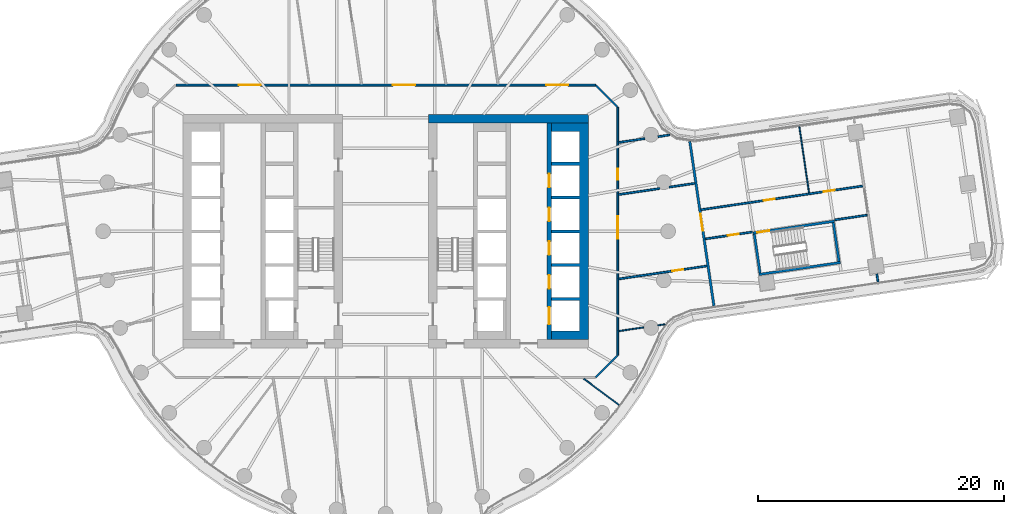
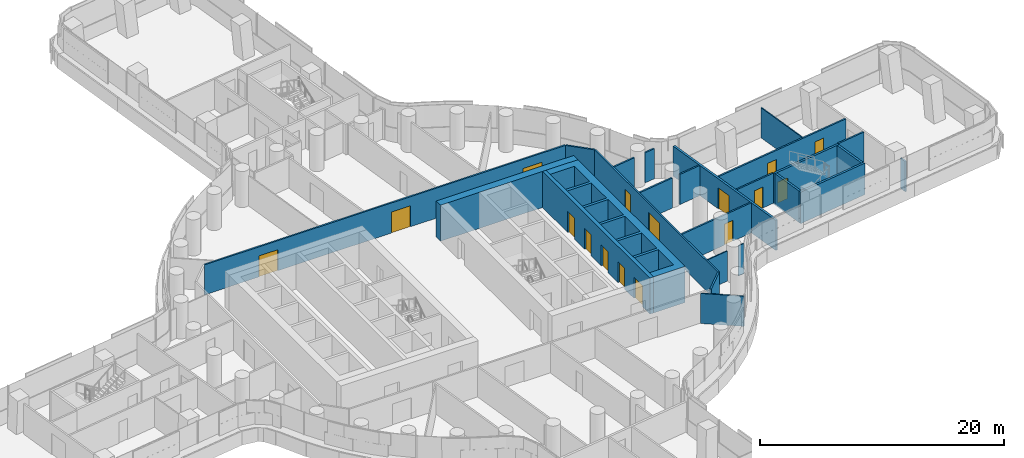
# One storey, part 22 of 31: 25 walls, 16 doors, 16 openings.
"""IFC4 building model written with IfcOpenShell, lengths in metres."""

from ifc_helpers import new_model, si_unit, direction, frame, frame_2d, origin, place, context, subcontext, project, spatial, polyline, rectangle, outline, extrude, material, layer, layer_set, type_object, element, fill, save


model = new_model("IFC4")

# Units and contexts
model_context = context("Model", 3, precision=1e-05, world=origin(), true_north=direction((0.0, 1.0)))
body_context = subcontext(model_context, "Body", "Model", "MODEL_VIEW")
ifc_project = project(units=[si_unit("LENGTHUNIT", "METRE"), si_unit("AREAUNIT", "SQUARE_METRE"), si_unit("VOLUMEUNIT", "CUBIC_METRE"), si_unit("PLANEANGLEUNIT", "RADIAN"), si_unit("MASSUNIT", "GRAM", prefix="KILO")], contexts=[model_context])

# Site, building, storey
site_placement = place(None, origin())
site = spatial("IfcSite", under=ifc_project, at=site_placement, CompositionType="ELEMENT")
building_placement = place(site_placement, origin())
building = spatial("IfcBuilding", under=site, at=building_placement, Name="Tamarind Cross Interchange Tower", CompositionType="ELEMENT")
storey_placement = place(building_placement, frame((0.0, 0.0, 64.0)))
storey = spatial("IfcBuildingStorey", under=building, at=storey_placement, Name="L14", CompositionType="ELEMENT", Elevation=64.0)

# Walls
ifc_material_1 = material(Name="Concrete C80", Category="concrete")
ifc_layer_1 = layer(ifc_material_1, 0.699951171875)
ifc_layer_set_1 = layer_set([ifc_layer_1], Name="Concrete C80")
wall_type_1 = type_object("IfcWallType", Name="Core wall 700 mm Concrete C80", PredefinedType="SHEAR", material=ifc_layer_set_1)
wall_1_placement = place(storey_placement, origin())
element("IfcWall", 1, at=wall_1_placement, inside=storey, type_object=wall_type_1, Name="Core wall CWL-L14-E-A", PredefinedType="SHEAR", context=body_context, shape_type="SweptSolid", body=[
    extrude(outline(polyline([(13.5, -8.800048828125), (15.800048828125, -8.800048828125), (16.5, -8.800048828125), (16.5, 8.800048828125), (15.800048828125, 8.800048828125), (13.5, 8.800048828125), (13.5, 8.125), (15.800048828125, 8.125), (15.800048828125, 5.625), (13.5, 5.625), (13.5, 5.375), (15.800048828125, 5.375), (15.800048828125, 2.875), (13.5, 2.875), (13.5, 2.625), (15.800048828125, 2.625), (15.800048828125, 0.125), (13.5, 0.125), (13.5, -0.125), (15.800048828125, -0.125), (15.800048828125, -2.625), (13.5, -2.625), (13.5, -2.875), (15.800048828125, -2.875), (15.800048828125, -5.375), (13.5, -5.375), (13.5, -5.625), (15.800048828125, -5.625), (15.800048828125, -8.125), (13.5, -8.125), (13.5, -8.800048828125)])), origin(), (0.0, 0.0, 1.0), 3.610107421875),
])
wall_2_placement = place(storey_placement, frame((16.5, 9.14990234375, 0.0), z_axis=(0.0, 0.0, 1.0), x_axis=(-1.0, 0.0, 0.0)))
element("IfcWall", 2, at=wall_2_placement, inside=storey, type_object=wall_type_1, Name="Core wall CWL-L14-E-NE", PredefinedType="SHEAR", context=body_context, shape_type="SweptSolid", body=[
    extrude(rectangle(XDim=13.0, YDim=0.699951171875, at=frame_2d((6.5, 0.0))), origin(), (0.0, 0.0, 1.0), 3.610107421875),
])

# Wall, openings, doors
ifc_layer_2 = layer(ifc_material_1, 0.35009765625)
ifc_layer_set_2 = layer_set([ifc_layer_2], Name="Concrete C80")
wall_type_2 = type_object("IfcWallType", Name="Core web wall 350 mm Concrete C80", PredefinedType="SHEAR", material=ifc_layer_set_2)
wall_3_placement = place(storey_placement, frame((13.324951171875, -8.800048828125, 0.0), z_axis=(0.0, 0.0, 1.0), x_axis=(0.0, 1.0, 0.0)))
wall_3 = element("IfcWall", 3, at=wall_3_placement, inside=storey, type_object=wall_type_2, Name="Core wall CWL-L14-E-LA", PredefinedType="SHEAR", context=body_context, shape_type="SweptSolid", body=[
    extrude(rectangle(XDim=17.60009765625, YDim=0.35009765625, at=frame_2d((8.800048828125, 0.0))), origin(), (0.0, 0.0, 1.0), 3.610107421875),
])
opening_1_placement = place(wall_3_placement, frame((1.22509765625, 0.0, 0.0)))
opening_1 = element("IfcOpeningElement", 4, at=opening_1_placement, cuts=wall_3, Name="Opening LD13L14", PredefinedType="OPENING", context=body_context, shape_type="SweptSolid", body=[
    extrude(rectangle(XDim=1.39990234375, YDim=2.10009765625, at=frame_2d((0.699951171875, 1.050048828125))), frame((0.0, 0.18505859375, 0.0), z_axis=(0.0, -1.0, 0.0), x_axis=(1.0, 0.0, 0.0)), (0.0, 0.0, 1.0), 0.3701171875),
])
opening_2_placement = place(wall_3_placement, frame((4.125, 0.0, 0.0)))
opening_2 = element("IfcOpeningElement", 5, at=opening_2_placement, cuts=wall_3, Name="Opening LD14L14", PredefinedType="OPENING", context=body_context, shape_type="SweptSolid", body=[
    extrude(rectangle(XDim=1.10009765625, YDim=2.10009765625, at=frame_2d((0.550048828125, 1.050048828125))), frame((0.0, 0.18505859375, 0.0), z_axis=(0.0, -1.0, 0.0), x_axis=(1.0, 0.0, 0.0)), (0.0, 0.0, 1.0), 0.3701171875),
])
opening_3_placement = place(wall_3_placement, frame((6.875, 0.0, 0.0)))
opening_3 = element("IfcOpeningElement", 6, at=opening_3_placement, cuts=wall_3, Name="Opening LD15L14", PredefinedType="OPENING", context=body_context, shape_type="SweptSolid", body=[
    extrude(rectangle(XDim=1.10009765625, YDim=2.10009765625, at=frame_2d((0.550048828125, 1.050048828125))), frame((0.0, 0.18505859375, 0.0), z_axis=(0.0, -1.0, 0.0), x_axis=(1.0, 0.0, 0.0)), (0.0, 0.0, 1.0), 0.3701171875),
])
opening_4_placement = place(wall_3_placement, frame((9.625, 0.0, 0.0)))
opening_4 = element("IfcOpeningElement", 7, at=opening_4_placement, cuts=wall_3, Name="Opening LD16L14", PredefinedType="OPENING", context=body_context, shape_type="SweptSolid", body=[
    extrude(rectangle(XDim=1.10009765625, YDim=2.10009765625, at=frame_2d((0.550048828125, 1.050048828125))), frame((0.0, 0.18505859375, 0.0), z_axis=(0.0, -1.0, 0.0), x_axis=(1.0, 0.0, 0.0)), (0.0, 0.0, 1.0), 0.3701171875),
])
opening_5_placement = place(wall_3_placement, frame((12.375, 0.0, 0.0)))
opening_5 = element("IfcOpeningElement", 8, at=opening_5_placement, cuts=wall_3, Name="Opening LD17L14", PredefinedType="OPENING", context=body_context, shape_type="SweptSolid", body=[
    extrude(rectangle(XDim=1.10009765625, YDim=2.10009765625, at=frame_2d((0.550048828125, 1.050048828125))), frame((0.0, 0.18505859375, 0.0), z_axis=(0.0, -1.0, 0.0), x_axis=(1.0, 0.0, 0.0)), (0.0, 0.0, 1.0), 0.3701171875),
])
ifc_material_2 = material(Name="Stainless steel panel", Category="steel")
door_type_1 = type_object("IfcDoorType", Name="Lift landing door 1100 x 2100 E 120", OperationType="SLIDING_TO_LEFT", PredefinedType="DOOR", material=ifc_material_2)
door_1_placement = place(opening_2_placement, origin())
door_1 = element("IfcDoor", 9, at=door_1_placement, inside=storey, type_object=door_type_1, Name="L14 landing door LF14", OperationType="SLIDING_TO_LEFT", OverallHeight=2.10009765625, OverallWidth=1.10009765625, PredefinedType="DOOR", context=body_context, shape_type="SweptSolid", body=[
    extrude(rectangle(XDim=1.10009765625, YDim=2.10009765625, at=frame_2d((0.550048828125, 1.050048828125))), frame((0.0, 0.02490234375, 0.0), z_axis=(0.0, -1.0, 0.0), x_axis=(1.0, 0.0, 0.0)), (0.0, 0.0, 1.0), 0.050048828125),
])
fill(opening_2, door_1)
door_2_placement = place(opening_3_placement, origin())
door_2 = element("IfcDoor", 10, at=door_2_placement, inside=storey, type_object=door_type_1, Name="L14 landing door LF15", OperationType="SLIDING_TO_LEFT", OverallHeight=2.10009765625, OverallWidth=1.10009765625, PredefinedType="DOOR", context=body_context, shape_type="SweptSolid", body=[
    extrude(rectangle(XDim=1.10009765625, YDim=2.10009765625, at=frame_2d((0.550048828125, 1.050048828125))), frame((0.0, 0.02490234375, 0.0), z_axis=(0.0, -1.0, 0.0), x_axis=(1.0, 0.0, 0.0)), (0.0, 0.0, 1.0), 0.050048828125),
])
fill(opening_3, door_2)
door_3_placement = place(opening_4_placement, origin())
door_3 = element("IfcDoor", 11, at=door_3_placement, inside=storey, type_object=door_type_1, Name="L14 landing door LF16", OperationType="SLIDING_TO_LEFT", OverallHeight=2.10009765625, OverallWidth=1.10009765625, PredefinedType="DOOR", context=body_context, shape_type="SweptSolid", body=[
    extrude(rectangle(XDim=1.10009765625, YDim=2.10009765625, at=frame_2d((0.550048828125, 1.050048828125))), frame((0.0, 0.02490234375, 0.0), z_axis=(0.0, -1.0, 0.0), x_axis=(1.0, 0.0, 0.0)), (0.0, 0.0, 1.0), 0.050048828125),
])
fill(opening_4, door_3)
door_4_placement = place(opening_5_placement, origin())
door_4 = element("IfcDoor", 12, at=door_4_placement, inside=storey, type_object=door_type_1, Name="L14 landing door LF17", OperationType="SLIDING_TO_LEFT", OverallHeight=2.10009765625, OverallWidth=1.10009765625, PredefinedType="DOOR", context=body_context, shape_type="SweptSolid", body=[
    extrude(rectangle(XDim=1.10009765625, YDim=2.10009765625, at=frame_2d((0.550048828125, 1.050048828125))), frame((0.0, 0.02490234375, 0.0), z_axis=(0.0, -1.0, 0.0), x_axis=(1.0, 0.0, 0.0)), (0.0, 0.0, 1.0), 0.050048828125),
])
fill(opening_5, door_4)
door_type_2 = type_object("IfcDoorType", Name="Lift landing door 1400 x 2100 E 120", OperationType="SLIDING_TO_LEFT", PredefinedType="DOOR", material=ifc_material_2)
door_5_placement = place(opening_1_placement, origin())
door_5 = element("IfcDoor", 13, at=door_5_placement, inside=storey, type_object=door_type_2, Name="L14 landing door LF13", OperationType="SLIDING_TO_LEFT", OverallHeight=2.10009765625, OverallWidth=1.39990234375, PredefinedType="DOOR", context=body_context, shape_type="SweptSolid", body=[
    extrude(rectangle(XDim=1.39990234375, YDim=2.10009765625, at=frame_2d((0.699951171875, 1.050048828125))), frame((0.0, 0.02490234375, 0.0), z_axis=(0.0, -1.0, 0.0), x_axis=(1.0, 0.0, 0.0)), (0.0, 0.0, 1.0), 0.050048828125),
])
fill(opening_1, door_5)

# Walls
ifc_material_3 = material(Name="Gypsum board partition on steel studs", Category="steel")
ifc_layer_3 = layer(ifc_material_3, 0.10009765625)
ifc_layer_set_3 = layer_set([ifc_layer_3], Name="Gypsum board partition on steel studs")
wall_type_3 = type_object("IfcWallType", Name="Partition 100 mm EI 120", PredefinedType="PARTITIONING", material=ifc_layer_set_3)
wall_4_placement = place(storey_placement, frame((16.12548828125, -11.998046875, 0.0), z_axis=(0.0, 0.0, 1.0), x_axis=(0.802325073953, -0.596887322454, 0.0)))
element("IfcWall", 14, at=wall_4_placement, inside=storey, type_object=wall_type_3, Name="Partition L14-037", PredefinedType="PARTITIONING", context=body_context, shape_type="SweptSolid", body=[
    extrude(rectangle(XDim=3.581787109375, YDim=0.10009765625, at=frame_2d((1.791015625, 0.0))), origin(), (0.0, 0.0, 1.0), 3.010009765625),
])
ifc_layer_4 = layer(ifc_material_3, 0.10009765625)
ifc_layer_set_4 = layer_set([ifc_layer_4], Name="Gypsum board partition on steel studs")
wall_type_4 = type_object("IfcWallType", Name="Partition 100 mm EI 90", PredefinedType="PARTITIONING", material=ifc_layer_set_4)
wall_5_placement = place(storey_placement, frame((33.68798828125, 8.503173828125, 0.0), z_axis=(0.0, 0.0, 1.0), x_axis=(0.145438472775, -0.989367298144, 0.0)))
element("IfcWall", 15, at=wall_5_placement, inside=storey, type_object=wall_type_4, Name="Partition L14-030", PredefinedType="PARTITIONING", context=body_context, shape_type="SweptSolid", body=[
    extrude(rectangle(XDim=5.44384765625, YDim=0.10009765625, at=frame_2d((2.721923828125, 0.0))), origin(), (0.0, 0.0, 1.0), 3.010009765625),
])
wall_6_placement = place(storey_placement, frame((18.96435546875, -8.127685546875, 0.0), z_axis=(0.0, 0.0, 1.0), x_axis=(0.989366120347, 0.145446484692, 0.0)))
element("IfcWall", 16, at=wall_6_placement, inside=storey, type_object=wall_type_4, Name="Partition L14-068", PredefinedType="PARTITIONING", context=body_context, shape_type="SweptSolid", body=[
    extrude(rectangle(XDim=2.0712890625, YDim=0.10009765625, at=frame_2d((1.03564453125, 0.0))), origin(), (0.0, 0.0, 1.0), 3.010009765625),
])
wall_7_placement = place(storey_placement, frame((22.166748046875, -7.656982421875, 0.0), z_axis=(0.0, 0.0, 1.0), x_axis=(0.98935388362, 0.145529697883, 0.0)))
element("IfcWall", 17, at=wall_7_placement, inside=storey, type_object=wall_type_4, Name="Partition L14-069", PredefinedType="PARTITIONING", context=body_context, shape_type="SweptSolid", body=[
    extrude(rectangle(XDim=0.590576171875, YDim=0.10009765625, at=frame_2d((0.29541015625, 0.0))), origin(), (0.0, 0.0, 1.0), 3.010009765625),
])
ifc_layer_5 = layer(ifc_material_3, 0.14990234375)
ifc_layer_set_5 = layer_set([ifc_layer_5], Name="Gypsum board partition on steel studs")
wall_type_5 = type_object("IfcWallType", Name="Partition 150 mm EI 120", PredefinedType="PARTITIONING", material=ifc_layer_set_5)
wall_8_placement = place(storey_placement, frame((39.9970703125, -3.47802734375, 0.0), z_axis=(0.0, 0.0, 1.0), x_axis=(0.145307820548, -0.989386495404, 0.0)))
element("IfcWall", 18, at=wall_8_placement, inside=storey, type_object=wall_type_5, Name="Partition L14-033", PredefinedType="PARTITIONING", context=body_context, shape_type="SweptSolid", body=[
    extrude(rectangle(XDim=0.641845703125, YDim=0.14990234375, at=frame_2d((0.32080078125, 0.0))), origin(), (0.0, 0.0, 1.0), 3.010009765625),
])
wall_9_placement = place(storey_placement, frame((17.12841796875, 11.87158203125, 0.0), z_axis=(0.0, 0.0, 1.0), x_axis=(0.707106781187, -0.707106781187, 0.0)))
element("IfcWall", 19, at=wall_9_placement, inside=storey, type_object=wall_type_5, Name="Partition L14-035", PredefinedType="PARTITIONING", context=body_context, shape_type="SweptSolid", body=[
    extrude(rectangle(XDim=2.465087890625, YDim=0.14990234375, at=frame_2d((1.232421875, 0.0))), origin(), (0.0, 0.0, 1.0), 3.010009765625),
])

# Wall, openings, doors
wall_10_placement = place(storey_placement, frame((-17.06494140625, 11.89990234375, 0.0), z_axis=(0.0, 0.0, 1.0), x_axis=(1.0, 0.0, 0.0)))
wall_10 = element("IfcWall", 20, at=wall_10_placement, inside=storey, type_object=wall_type_5, Name="Partition L14-039", PredefinedType="PARTITIONING", context=body_context, shape_type="SweptSolid", body=[
    extrude(rectangle(XDim=34.1650390625, YDim=0.14990234375, at=frame_2d((17.08251953125, 0.0))), origin(), (0.0, 0.0, 1.0), 3.010009765625),
])
opening_6_placement = place(wall_10_placement, frame((17.662109375, 0.0, 0.0)))
opening_6 = element("IfcOpeningElement", 21, at=opening_6_placement, cuts=wall_10, Name="Opening D20", PredefinedType="OPENING", context=body_context, shape_type="SweptSolid", body=[
    extrude(rectangle(XDim=1.800048828125, YDim=2.10009765625, at=frame_2d((0.89990234375, 1.050048828125))), frame((0.0, 0.0849609375, 0.0), z_axis=(0.0, -1.0, 0.0), x_axis=(1.0, 0.0, 0.0)), (0.0, 0.0, 1.0), 0.169921875),
])
opening_7_placement = place(wall_10_placement, frame((30.131103515625, 0.0, 0.0)))
opening_7 = element("IfcOpeningElement", 22, at=opening_7_placement, cuts=wall_10, Name="Opening D21", PredefinedType="OPENING", context=body_context, shape_type="SweptSolid", body=[
    extrude(rectangle(XDim=1.800048828125, YDim=2.10009765625, at=frame_2d((0.89990234375, 1.050048828125))), frame((0.0, 0.0849609375, 0.0), z_axis=(0.0, -1.0, 0.0), x_axis=(1.0, 0.0, 0.0)), (0.0, 0.0, 1.0), 0.169921875),
])
opening_8_placement = place(wall_10_placement, frame((5.115966796875, 0.0, 0.0)))
opening_8 = element("IfcOpeningElement", 23, at=opening_8_placement, cuts=wall_10, Name="Opening D22", PredefinedType="OPENING", context=body_context, shape_type="SweptSolid", body=[
    extrude(rectangle(XDim=1.800048828125, YDim=2.10009765625, at=frame_2d((0.89990234375, 1.050048828125))), frame((0.0, 0.0849609375, 0.0), z_axis=(0.0, -1.0, 0.0), x_axis=(1.0, 0.0, 0.0)), (0.0, 0.0, 1.0), 0.169921875),
])
ifc_material_4 = material(Name="Fire-resisting door set")
door_type_3 = type_object("IfcDoorType", Name="Interior door 1800 x 2100 FD60S", OperationType="DOUBLE_DOOR_SINGLE_SWING", PredefinedType="DOOR", material=ifc_material_4)
door_6_placement = place(opening_6_placement, frame((1.800048828125, 0.0, 0.0), z_axis=(0.0, 0.0, 1.0), x_axis=(-1.0, 0.0, 0.0)))
door_6 = element("IfcDoor", 24, at=door_6_placement, inside=storey, type_object=door_type_3, Name="Door D20", OperationType="DOUBLE_DOOR_SINGLE_SWING", OverallHeight=2.10009765625, OverallWidth=1.800048828125, PredefinedType="DOOR", context=body_context, shape_type="SweptSolid", body=[
    extrude(rectangle(XDim=1.800048828125, YDim=2.10009765625, at=frame_2d((0.89990234375, 1.050048828125))), frame((0.0, 0.02490234375, 0.0), z_axis=(0.0, -1.0, 0.0), x_axis=(1.0, 0.0, 0.0)), (0.0, 0.0, 1.0), 0.050048828125),
])
fill(opening_6, door_6)
door_7_placement = place(opening_7_placement, origin())
door_7 = element("IfcDoor", 25, at=door_7_placement, inside=storey, type_object=door_type_3, Name="Door D21", OperationType="DOUBLE_DOOR_SINGLE_SWING", OverallHeight=2.10009765625, OverallWidth=1.800048828125, PredefinedType="DOOR", context=body_context, shape_type="SweptSolid", body=[
    extrude(rectangle(XDim=1.800048828125, YDim=2.10009765625, at=frame_2d((0.89990234375, 1.050048828125))), frame((0.0, 0.02490234375, 0.0), z_axis=(0.0, -1.0, 0.0), x_axis=(1.0, 0.0, 0.0)), (0.0, 0.0, 1.0), 0.050048828125),
])
fill(opening_7, door_7)
door_8_placement = place(opening_8_placement, origin())
door_8 = element("IfcDoor", 26, at=door_8_placement, inside=storey, type_object=door_type_3, Name="Door D22", OperationType="DOUBLE_DOOR_SINGLE_SWING", OverallHeight=2.10009765625, OverallWidth=1.800048828125, PredefinedType="DOOR", context=body_context, shape_type="SweptSolid", body=[
    extrude(rectangle(XDim=1.800048828125, YDim=2.10009765625, at=frame_2d((0.89990234375, 1.050048828125))), frame((0.0, 0.02490234375, 0.0), z_axis=(0.0, -1.0, 0.0), x_axis=(1.0, 0.0, 0.0)), (0.0, 0.0, 1.0), 0.050048828125),
])
fill(opening_8, door_8)

# Walls
wall_11_placement = place(storey_placement, frame((18.969482421875, 7.234130859375, 0.0), z_axis=(0.0, 0.0, 1.0), x_axis=(0.98937209659, 0.145405826875, 0.0)))
element("IfcWall", 27, at=wall_11_placement, inside=storey, type_object=wall_type_5, Name="Partition L14-042", PredefinedType="PARTITIONING", context=body_context, shape_type="SweptSolid", body=[
    extrude(rectangle(XDim=2.152587890625, YDim=0.14990234375, at=frame_2d((1.076171875, 0.0))), origin(), (0.0, 0.0, 1.0), 3.010009765625),
])
wall_12_placement = place(storey_placement, frame((22.179931640625, 7.7060546875, 0.0), z_axis=(0.0, 0.0, 1.0), x_axis=(0.989393512595, 0.145260033163, 0.0)))
element("IfcWall", 28, at=wall_12_placement, inside=storey, type_object=wall_type_5, Name="Partition L14-043", PredefinedType="PARTITIONING", context=body_context, shape_type="SweptSolid", body=[
    extrude(rectangle(XDim=0.96142578125, YDim=0.14990234375, at=frame_2d((0.480712890625, 0.0))), origin(), (0.0, 0.0, 1.0), 3.010009765625),
])

# Wall, opening, door
wall_13_placement = place(storey_placement, frame((26.03271484375, -0.618896484375, 0.0), z_axis=(0.0, 0.0, 1.0), x_axis=(0.989358064484, 0.145501272298, 0.0)))
wall_13 = element("IfcWall", 29, at=wall_13_placement, inside=storey, type_object=wall_type_5, Name="Partition L14-050", PredefinedType="PARTITIONING", context=body_context, shape_type="SweptSolid", body=[
    extrude(rectangle(XDim=3.86083984375, YDim=0.14990234375, at=frame_2d((1.930419921875, 0.0))), origin(), (0.0, 0.0, 1.0), 3.010009765625),
])
opening_9_placement = place(wall_13_placement, frame((1.85009765625, 0.0, 0.0)))
opening_9 = element("IfcOpeningElement", 30, at=opening_9_placement, cuts=wall_13, Name="Opening D27", PredefinedType="OPENING", context=body_context, shape_type="SweptSolid", body=[
    extrude(rectangle(XDim=0.89990234375, YDim=2.10009765625, at=frame_2d((0.449951171875, 1.050048828125))), frame((0.0, 0.0849609375, 0.0), z_axis=(0.0, -1.0, 0.0), x_axis=(1.0, 0.0, 0.0)), (0.0, 0.0, 1.0), 0.169921875),
])
door_type_4 = type_object("IfcDoorType", Name="Interior door 900 x 2100 FD60S", OperationType="SINGLE_SWING_LEFT", PredefinedType="DOOR", material=ifc_material_4)
door_9_placement = place(opening_9_placement, frame((0.89990234375, 0.0, 0.0), z_axis=(0.0, 0.0, 1.0), x_axis=(-1.0, 0.0, 0.0)))
door_9 = element("IfcDoor", 31, at=door_9_placement, inside=storey, type_object=door_type_4, Name="Door D27", OperationType="SINGLE_SWING_RIGHT", OverallHeight=2.10009765625, OverallWidth=0.89990234375, PredefinedType="DOOR", context=body_context, shape_type="SweptSolid", body=[
    extrude(rectangle(XDim=0.89990234375, YDim=2.10009765625, at=frame_2d((0.449951171875, 1.050048828125))), frame((0.0, 0.02490234375, 0.0), z_axis=(0.0, -1.0, 0.0), x_axis=(1.0, 0.0, 0.0)), (0.0, 0.0, 1.0), 0.050048828125),
])
fill(opening_9, door_9)

# Wall
wall_14_placement = place(storey_placement, frame((36.559814453125, 0.92919921875, 0.0), z_axis=(0.0, 0.0, 1.0), x_axis=(0.98936183482, 0.145475633018, 0.0)))
element("IfcWall", 32, at=wall_14_placement, inside=storey, type_object=wall_type_5, Name="Partition L14-051", PredefinedType="PARTITIONING", context=body_context, shape_type="SweptSolid", body=[
    extrude(rectangle(XDim=2.68017578125, YDim=0.14990234375, at=frame_2d((1.340087890625, 0.0))), origin(), (0.0, 0.0, 1.0), 3.010009765625),
])

# Wall, opening, door
wall_15_placement = place(storey_placement, frame((18.96923828125, -3.8818359375, 0.0), z_axis=(0.0, 0.0, 1.0), x_axis=(0.989370952115, 0.145413613912, 0.0)))
wall_15 = element("IfcWall", 33, at=wall_15_placement, inside=storey, type_object=wall_type_5, Name="Partition L14-065", PredefinedType="PARTITIONING", context=body_context, shape_type="SweptSolid", body=[
    extrude(rectangle(XDim=7.258056640625, YDim=0.14990234375, at=frame_2d((3.62890625, 0.0))), origin(), (0.0, 0.0, 1.0), 3.010009765625),
])
opening_10_placement = place(wall_15_placement, frame((4.429931640625, 0.0, 0.0)))
opening_10 = element("IfcOpeningElement", 34, at=opening_10_placement, cuts=wall_15, Name="Opening D34", PredefinedType="OPENING", context=body_context, shape_type="SweptSolid", body=[
    extrude(rectangle(XDim=0.89990234375, YDim=2.10009765625, at=frame_2d((0.449951171875, 1.050048828125))), frame((0.0, 0.0849609375, 0.0), z_axis=(0.0, -1.0, 0.0), x_axis=(1.0, 0.0, 0.0)), (0.0, 0.0, 1.0), 0.169921875),
])
door_10_placement = place(opening_10_placement, frame((0.89990234375, 0.0, 0.0), z_axis=(0.0, 0.0, 1.0), x_axis=(-1.0, 0.0, 0.0)))
door_10 = element("IfcDoor", 35, at=door_10_placement, inside=storey, type_object=door_type_4, Name="Door D34", OperationType="SINGLE_SWING_RIGHT", OverallHeight=2.10009765625, OverallWidth=0.89990234375, PredefinedType="DOOR", context=body_context, shape_type="SweptSolid", body=[
    extrude(rectangle(XDim=0.89990234375, YDim=2.10009765625, at=frame_2d((0.449951171875, 1.050048828125))), frame((0.0, 0.02490234375, 0.0), z_axis=(0.0, -1.0, 0.0), x_axis=(1.0, 0.0, 0.0)), (0.0, 0.0, 1.0), 0.050048828125),
])
fill(opening_10, door_10)

# Walls
wall_16_placement = place(storey_placement, frame((18.96923828125, 2.9912109375, 0.0), z_axis=(0.0, 0.0, 1.0), x_axis=(0.989385008204, 0.145317946381, 0.0)))
element("IfcWall", 36, at=wall_16_placement, inside=storey, type_object=wall_type_5, Name="Partition L14-066", PredefinedType="PARTITIONING", context=body_context, shape_type="SweptSolid", body=[
    extrude(rectangle(XDim=3.393798828125, YDim=0.14990234375, at=frame_2d((1.69677734375, 0.0))), origin(), (0.0, 0.0, 1.0), 3.010009765625),
])
wall_17_placement = place(storey_placement, frame((23.085693359375, 3.595947265625, 0.0), z_axis=(0.0, 0.0, 1.0), x_axis=(0.98937731598, 0.145370308603, 0.0)))
element("IfcWall", 37, at=wall_17_placement, inside=storey, type_object=wall_type_5, Name="Partition L14-067", PredefinedType="PARTITIONING", context=body_context, shape_type="SweptSolid", body=[
    extrude(rectangle(XDim=2.1025390625, YDim=0.14990234375, at=frame_2d((1.05126953125, 0.0))), origin(), (0.0, 0.0, 1.0), 3.010009765625),
])

# Wall, openings, doors
wall_18_placement = place(storey_placement, frame((25.683837890625, 1.75439453125, 0.0), z_axis=(0.0, 0.0, 1.0), x_axis=(0.989381462847, 0.145342082604, 0.0)))
wall_18 = element("IfcWall", 38, at=wall_18_placement, inside=storey, type_object=wall_type_5, Name="Partition L14-070", PredefinedType="PARTITIONING", context=body_context, shape_type="SweptSolid", body=[
    extrude(rectangle(XDim=13.32568359375, YDim=0.14990234375, at=frame_2d((6.662841796875, 0.0))), origin(), (0.0, 0.0, 1.0), 3.010009765625),
])
opening_11_placement = place(wall_18_placement, frame((5.14990234375, 0.0, 0.0)))
opening_11 = element("IfcOpeningElement", 39, at=opening_11_placement, cuts=wall_18, Name="Opening D35", PredefinedType="OPENING", context=body_context, shape_type="SweptSolid", body=[
    extrude(rectangle(XDim=0.89990234375, YDim=2.10009765625, at=frame_2d((0.449951171875, 1.050048828125))), frame((0.0, 0.0849609375, 0.0), z_axis=(0.0, -1.0, 0.0), x_axis=(1.0, 0.0, 0.0)), (0.0, 0.0, 1.0), 0.169921875),
])
opening_12_placement = place(wall_18_placement, frame((10.1005859375, 0.0, 0.0)))
opening_12 = element("IfcOpeningElement", 40, at=opening_12_placement, cuts=wall_18, Name="Opening D36", PredefinedType="OPENING", context=body_context, shape_type="SweptSolid", body=[
    extrude(rectangle(XDim=0.89990234375, YDim=2.10009765625, at=frame_2d((0.449951171875, 1.050048828125))), frame((0.0, 0.0849609375, 0.0), z_axis=(0.0, -1.0, 0.0), x_axis=(1.0, 0.0, 0.0)), (0.0, 0.0, 1.0), 0.169921875),
])
door_11_placement = place(opening_11_placement, origin())
door_11 = element("IfcDoor", 41, at=door_11_placement, inside=storey, type_object=door_type_4, Name="Door D35", OperationType="SINGLE_SWING_RIGHT", OverallHeight=2.10009765625, OverallWidth=0.89990234375, PredefinedType="DOOR", context=body_context, shape_type="SweptSolid", body=[
    extrude(rectangle(XDim=0.89990234375, YDim=2.10009765625, at=frame_2d((0.449951171875, 1.050048828125))), frame((0.0, 0.02490234375, 0.0), z_axis=(0.0, -1.0, 0.0), x_axis=(1.0, 0.0, 0.0)), (0.0, 0.0, 1.0), 0.050048828125),
])
fill(opening_11, door_11)
door_12_placement = place(opening_12_placement, origin())
door_12 = element("IfcDoor", 42, at=door_12_placement, inside=storey, type_object=door_type_4, Name="Door D36", OperationType="SINGLE_SWING_LEFT", OverallHeight=2.10009765625, OverallWidth=0.89990234375, PredefinedType="DOOR", context=body_context, shape_type="SweptSolid", body=[
    extrude(rectangle(XDim=0.89990234375, YDim=2.10009765625, at=frame_2d((0.449951171875, 1.050048828125))), frame((0.0, 0.02490234375, 0.0), z_axis=(0.0, -1.0, 0.0), x_axis=(1.0, 0.0, 0.0)), (0.0, 0.0, 1.0), 0.050048828125),
])
fill(opening_12, door_12)

# Wall
wall_19_placement = place(storey_placement, frame((17.10009765625, -11.89990234375, 0.0), z_axis=(0.0, 0.0, 1.0), x_axis=(0.707106781187, 0.707106781187, 0.0)))
element("IfcWall", 43, at=wall_19_placement, inside=storey, type_object=wall_type_5, Name="Partition L14-072", PredefinedType="PARTITIONING", context=body_context, shape_type="SweptSolid", body=[
    extrude(rectangle(XDim=2.50537109375, YDim=0.14990234375, at=frame_2d((1.252685546875, 0.0))), origin(), (0.0, 0.0, 1.0), 3.010009765625),
])

# Wall, openings, doors
wall_20_placement = place(storey_placement, frame((18.89990234375, -10.10009765625, 0.0), z_axis=(0.0, 0.0, 1.0), x_axis=(0.0, 1.0, 0.0)))
wall_20 = element("IfcWall", 44, at=wall_20_placement, inside=storey, type_object=wall_type_5, Name="Partition L14-076", PredefinedType="PARTITIONING", context=body_context, shape_type="SweptSolid", body=[
    extrude(rectangle(XDim=20.2001953125, YDim=0.14990234375, at=frame_2d((10.10009765625, 0.0))), origin(), (0.0, 0.0, 1.0), 3.010009765625),
])
opening_13_placement = place(wall_20_placement, frame((9.508056640625, 0.0, 0.0)))
opening_13 = element("IfcOpeningElement", 45, at=opening_13_placement, cuts=wall_20, Name="Opening D39", PredefinedType="OPENING", context=body_context, shape_type="SweptSolid", body=[
    extrude(rectangle(XDim=1.800048828125, YDim=2.10009765625, at=frame_2d((0.89990234375, 1.050048828125))), frame((0.0, 0.0849609375, 0.0), z_axis=(0.0, -1.0, 0.0), x_axis=(1.0, 0.0, 0.0)), (0.0, 0.0, 1.0), 0.169921875),
])
opening_14_placement = place(wall_20_placement, frame((14.281005859375, 0.0, 0.0)))
opening_14 = element("IfcOpeningElement", 46, at=opening_14_placement, cuts=wall_20, Name="Opening D40", PredefinedType="OPENING", context=body_context, shape_type="SweptSolid", body=[
    extrude(rectangle(XDim=0.89990234375, YDim=2.10009765625, at=frame_2d((0.449951171875, 1.050048828125))), frame((0.0, 0.0849609375, 0.0), z_axis=(0.0, -1.0, 0.0), x_axis=(1.0, 0.0, 0.0)), (0.0, 0.0, 1.0), 0.169921875),
])
door_13_placement = place(opening_13_placement, origin())
door_13 = element("IfcDoor", 47, at=door_13_placement, inside=storey, type_object=door_type_3, Name="Door D39", OperationType="DOUBLE_DOOR_SINGLE_SWING", OverallHeight=2.10009765625, OverallWidth=1.800048828125, PredefinedType="DOOR", context=body_context, shape_type="SweptSolid", body=[
    extrude(rectangle(XDim=1.800048828125, YDim=2.10009765625, at=frame_2d((0.89990234375, 1.050048828125))), frame((0.0, 0.02490234375, 0.0), z_axis=(0.0, -1.0, 0.0), x_axis=(1.0, 0.0, 0.0)), (0.0, 0.0, 1.0), 0.050048828125),
])
fill(opening_13, door_13)
door_14_placement = place(opening_14_placement, frame((0.89990234375, 0.0, 0.0), z_axis=(0.0, 0.0, 1.0), x_axis=(-1.0, 0.0, 0.0)))
door_14 = element("IfcDoor", 48, at=door_14_placement, inside=storey, type_object=door_type_4, Name="Door D40", OperationType="SINGLE_SWING_RIGHT", OverallHeight=2.10009765625, OverallWidth=0.89990234375, PredefinedType="DOOR", context=body_context, shape_type="SweptSolid", body=[
    extrude(rectangle(XDim=0.89990234375, YDim=2.10009765625, at=frame_2d((0.449951171875, 1.050048828125))), frame((0.0, 0.02490234375, 0.0), z_axis=(0.0, -1.0, 0.0), x_axis=(1.0, 0.0, 0.0)), (0.0, 0.0, 1.0), 0.050048828125),
])
fill(opening_14, door_14)

# Wall, opening, door
ifc_layer_6 = layer(ifc_material_3, 0.199951171875)
ifc_layer_set_6 = layer_set([ifc_layer_6], Name="Gypsum board partition on steel studs")
wall_type_6 = type_object("IfcWallType", Name="Partition 200 mm EI 180", PredefinedType="PARTITIONING", material=ifc_layer_set_6)
wall_21_placement = place(storey_placement, frame((24.76513671875, 7.323974609375, 0.0), z_axis=(0.0, 0.0, 1.0), x_axis=(0.145115128608, -0.989414776244, 0.0)))
wall_21 = element("IfcWall", 49, at=wall_21_placement, inside=storey, type_object=wall_type_6, Name="Partition L14-029", PredefinedType="PARTITIONING", context=body_context, shape_type="SweptSolid", body=[
    extrude(rectangle(XDim=13.543212890625, YDim=0.199951171875, at=frame_2d((6.771484375, 0.0))), origin(), (0.0, 0.0, 1.0), 3.010009765625),
])
opening_15_placement = place(wall_21_placement, frame((5.943603515625, 0.0, 0.0)))
opening_15 = element("IfcOpeningElement", 50, at=opening_15_placement, cuts=wall_21, Name="Opening D15", PredefinedType="OPENING", context=body_context, shape_type="SweptSolid", body=[
    extrude(rectangle(XDim=1.39990234375, YDim=2.10009765625, at=frame_2d((0.699951171875, 1.050048828125))), frame((0.0, 0.10986328125, 0.0), z_axis=(0.0, -1.0, 0.0), x_axis=(1.0, 0.0, 0.0)), (0.0, 0.0, 1.0), 0.219970703125),
])
door_type_5 = type_object("IfcDoorType", Name="Interior door 1400 x 2100 FD120S", OperationType="DOUBLE_DOOR_SINGLE_SWING", PredefinedType="DOOR", material=ifc_material_4)
door_15_placement = place(opening_15_placement, frame((1.39990234375, 0.0, 0.0), z_axis=(0.0, 0.0, 1.0), x_axis=(-1.0, 0.0, 0.0)))
door_15 = element("IfcDoor", 51, at=door_15_placement, inside=storey, type_object=door_type_5, Name="Door D15", OperationType="DOUBLE_DOOR_SINGLE_SWING", OverallHeight=2.10009765625, OverallWidth=1.39990234375, PredefinedType="DOOR", context=body_context, shape_type="SweptSolid", body=[
    extrude(rectangle(XDim=1.39990234375, YDim=2.10009765625, at=frame_2d((0.699951171875, 1.050048828125))), frame((0.0, 0.02490234375, 0.0), z_axis=(0.0, -1.0, 0.0), x_axis=(1.0, 0.0, 0.0)), (0.0, 0.0, 1.0), 0.050048828125),
])
fill(opening_15, door_15)

ifc_material_5 = material(Name="Concrete C40", Category="concrete")
ifc_layer_7 = layer(ifc_material_5, 0.199951171875)
ifc_layer_set_7 = layer_set([ifc_layer_7], Name="Concrete C40")
wall_type_7 = type_object("IfcWallType", Name="Stair shaft wall 200 mm Concrete C40", PredefinedType="SHEAR", material=ifc_layer_set_7)
wall_22_placement = place(storey_placement, frame((29.906005859375, -0.15234375, -0.139892578125), z_axis=(0.0, 0.0, 1.0), x_axis=(0.989379797551, 0.145353418254, 0.0)))
wall_22 = element("IfcWall", 52, at=wall_22_placement, inside=storey, type_object=wall_type_7, Name="Core wall CWL-L14-ST3-H", PredefinedType="SHEAR", context=body_context, shape_type="SweptSolid", body=[
    extrude(rectangle(XDim=6.699951171875, YDim=0.199951171875, at=frame_2d((3.35009765625, 0.0))), origin(), (0.0, 0.0, 1.0), 3.14990234375),
])
opening_16_placement = place(wall_22_placement, frame((0.35009765625, 0.0, 0.0)))
opening_16 = element("IfcOpeningElement", 53, at=opening_16_placement, cuts=wall_22, Name="Opening ST3L14", PredefinedType="OPENING", context=body_context, shape_type="SweptSolid", body=[
    extrude(rectangle(XDim=1.0, YDim=2.10009765625, at=frame_2d((0.5, 1.050048828125))), frame((0.0, 0.10986328125, 0.0), z_axis=(0.0, -1.0, 0.0), x_axis=(1.0, 0.0, 0.0)), (0.0, 0.0, 1.0), 0.219970703125),
])
ifc_material_6 = material(Name="Steel, fire-resisting", Category="steel")
door_type_6 = type_object("IfcDoorType", Name="Core fire door 1000 x 2100 FD90", OperationType="SINGLE_SWING_LEFT", PredefinedType="DOOR", material=ifc_material_6)
door_16_placement = place(opening_16_placement, origin())
door_16 = element("IfcDoor", 54, at=door_16_placement, inside=storey, type_object=door_type_6, Name="L14 stair door ST3", OperationType="SINGLE_SWING_LEFT", OverallHeight=2.10009765625, OverallWidth=1.0, PredefinedType="DOOR", context=body_context, shape_type="SweptSolid", body=[
    extrude(rectangle(XDim=1.0, YDim=2.10009765625, at=frame_2d((0.5, 1.050048828125))), frame((0.0, 0.02490234375, 0.0), z_axis=(0.0, -1.0, 0.0), x_axis=(1.0, 0.0, 0.0)), (0.0, 0.0, 1.0), 0.050048828125),
])
fill(opening_16, door_16)

# Walls
wall_23_placement = place(storey_placement, frame((30.400390625, -3.51611328125, -0.139892578125), z_axis=(0.0, 0.0, 1.0), x_axis=(0.989379797551, 0.145353418254, 0.0)))
element("IfcWall", 55, at=wall_23_placement, inside=storey, type_object=wall_type_7, Name="Core wall CWL-L14-ST3-C", PredefinedType="SHEAR", context=body_context, shape_type="SweptSolid", body=[
    extrude(rectangle(XDim=6.699951171875, YDim=0.199951171875, at=frame_2d((3.35009765625, 0.0))), origin(), (0.0, 0.0, 1.0), 3.14990234375),
])
wall_24_placement = place(storey_placement, frame((30.48486328125, -3.40283203125, -0.139892578125), z_axis=(0.0, 0.0, 1.0), x_axis=(-0.145414918965, 0.989370760303, 0.0)))
element("IfcWall", 56, at=wall_24_placement, inside=storey, type_object=wall_type_7, Name="Core wall CWL-L14-ST3-CE", PredefinedType="SHEAR", context=body_context, shape_type="SweptSolid", body=[
    extrude(rectangle(XDim=3.199951171875, YDim=0.199951171875, at=frame_2d((1.60009765625, 0.0))), origin(), (0.0, 0.0, 1.0), 3.14990234375),
])
wall_25_placement = place(storey_placement, frame((0.0, 0.0, -0.139892578125)))
element("IfcWall", 57, at=wall_25_placement, inside=storey, type_object=wall_type_7, Name="Core wall CWL-L14-ST3-CF", PredefinedType="SHEAR", context=body_context, shape_type="SweptSolid", body=[
    extrude(outline(polyline([(36.81689453125, -2.472412109375), (37.0146484375, -2.443359375), (36.549560546875, 0.72265625), (36.3515625, 0.693603515625), (36.81689453125, -2.472412109375)])), origin(), (0.0, 0.0, 1.0), 3.14990234375),
])

save(model, "model.ifc")
